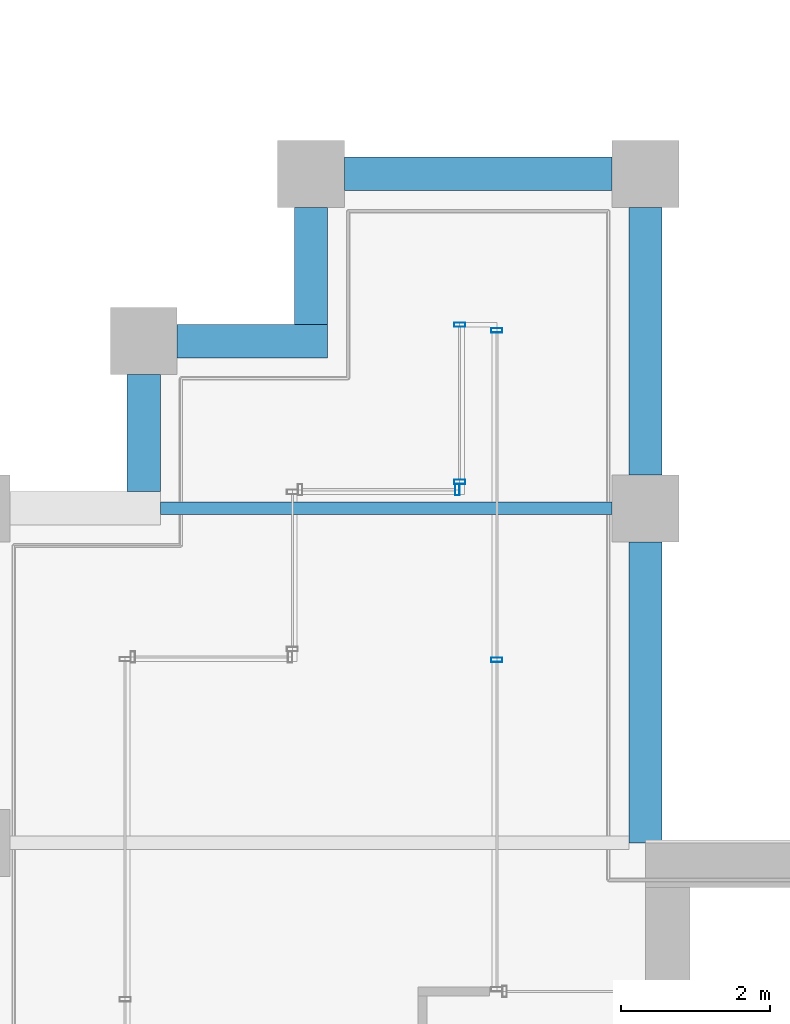
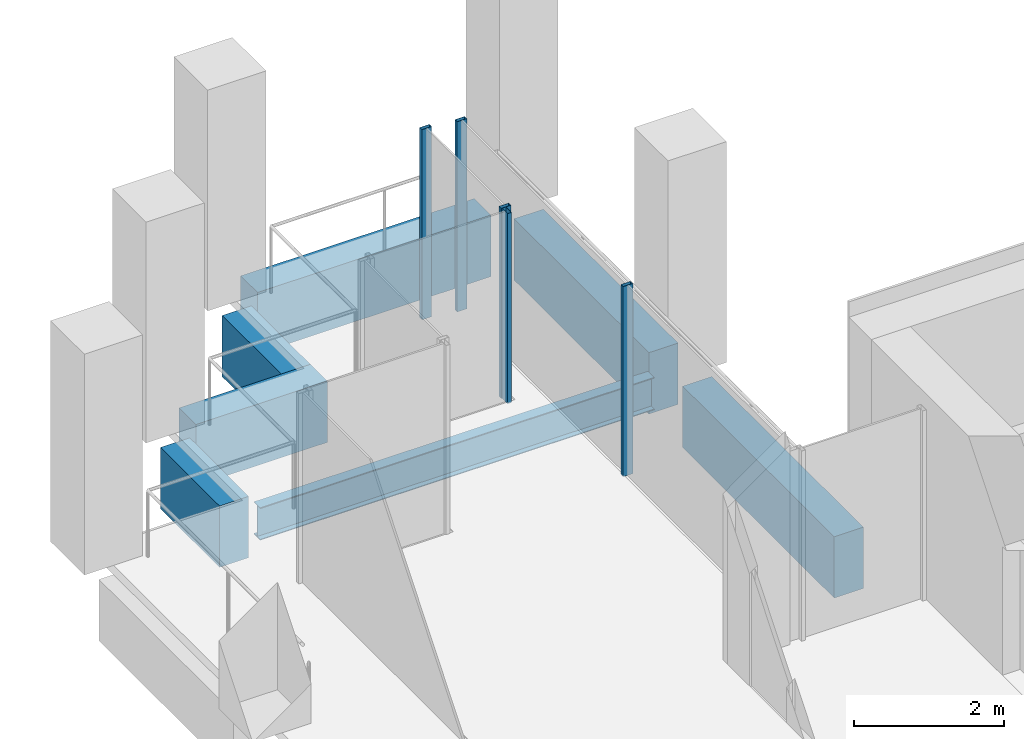
# One storey, part 33 of 40: 7 beams, 5 members, 3 elements without a shape of their own.
"""IFC4 building model written with IfcOpenShell, lengths in metres."""

from ifc_helpers import new_model, si_unit, direction, frame, origin, origin_2d, place, context, subcontext, project, spatial, rectangle, hollow_rectangle, i_section, extrude, material, material_profile, profile_set, type_object, element, aggregate, save


model = new_model("IFC4")

# Units and contexts
model_context = context("Model", 3, precision=1e-05, world=origin(), true_north=direction((0.0, 1.0)))
body_context = subcontext(model_context, "Body", "Model", "MODEL_VIEW")
ifc_project = project(units=[si_unit("LENGTHUNIT", "METRE"), si_unit("AREAUNIT", "SQUARE_METRE"), si_unit("VOLUMEUNIT", "CUBIC_METRE"), si_unit("PLANEANGLEUNIT", "RADIAN"), si_unit("MASSUNIT", "GRAM", prefix="KILO")], contexts=[model_context])

# Site, building, storey
site_placement = place(None, origin())
site = spatial("IfcSite", under=ifc_project, at=site_placement, CompositionType="ELEMENT")
building_placement = place(site_placement, origin())
building = spatial("IfcBuilding", under=site, at=building_placement, Name="Altepetl Exchange Towers", CompositionType="ELEMENT")
storey_placement = place(building_placement, frame((0.0, 0.0, 165.39990234375)))
storey = spatial("IfcBuildingStorey", under=building, at=storey_placement, Name="L41", CompositionType="ELEMENT", Elevation=165.39990234375)

# Beam
ifc_material_1 = material(Name="Steel S355", Category="steel")
ifc_material_profile_1 = material_profile(ifc_material_1, i_section(OverallWidth=0.166015625, OverallDepth=0.529052734375, WebThickness=0.009765625, FlangeThickness=0.013671875, at=origin_2d()), Name="W21X50")
ifc_profile_set_1 = profile_set([ifc_material_profile_1], Name="Steel S355")
beam_type_1 = type_object("IfcBeamType", Name="Floor beam W21X50", PredefinedType="BEAM", material=ifc_profile_set_1)
beam_1_placement = place(storey_placement, frame((96.97509765625, 54.0, -0.414306640625), z_axis=(1.0, 0.0, 0.0), x_axis=(0.0, 1.0, 0.0)))
element("IfcBeam", 1, at=beam_1_placement, inside=storey, type_object=beam_type_1, Name="bm:B:L41:007", PredefinedType="BEAM", context=body_context, shape_type="SweptSolid", body=[
    extrude(i_section(OverallWidth=0.166015625, OverallDepth=0.529052734375, WebThickness=0.009765625, FlangeThickness=0.013671875, at=origin_2d()), origin(), (0.0, 0.0, 1.0), 6.074951171875),
])

# Curtain wall, members
ifc_material_2 = material(Name="Aluminium 6063-T6 glazing", Category="aluminium")
curtain_wall_type = type_object("IfcCurtainWallType", Name="Loggia glazing system", PredefinedType="NOTDEFINED", material=ifc_material_2)
curtain_wall_1_placement = place(storey_placement, origin())
curtain_wall_1 = element("IfcCurtainWall", 2, at=curtain_wall_1_placement, inside=storey, type_object=curtain_wall_type, Name="CW1 run", PredefinedType="NOTDEFINED")
ifc_material_3 = material(Name="Aluminium 6063-T6", Category="aluminium")
ifc_material_profile_2 = material_profile(ifc_material_3, hollow_rectangle(XDim=0.06005859375, YDim=0.14990234375, WallThickness=0.0029296875, at=origin_2d()), Name="Mullion 60x150 aluminium")
ifc_profile_set_2 = profile_set([ifc_material_profile_2], Name="Aluminium 6063-T6")
member_type = type_object("IfcMemberType", Name="Mullion 60x150 aluminium", PredefinedType="MULLION", material=ifc_profile_set_2)
member_1_placement = place(storey_placement, frame((101.5, 51.96240234375, 0.0), z_axis=(0.0, 0.0, 1.0), x_axis=(0.0, 1.0, 0.0)))
member_1 = element("IfcMember", 3, at=member_1_placement, type_object=member_type, Name="MU1 mullion", PredefinedType="MULLION", context=body_context, shape_type="SweptSolid", body=[
    extrude(hollow_rectangle(XDim=0.06005859375, YDim=0.14990234375, WallThickness=0.0029296875, at=origin_2d()), origin(), (0.0, 0.0, 1.0), 3.10009765625),
])
member_2_placement = place(storey_placement, frame((101.5, 56.39501953125, 0.0), z_axis=(0.0, 0.0, 1.0), x_axis=(0.0, 1.0, 0.0)))
member_2 = element("IfcMember", 4, at=member_2_placement, type_object=member_type, Name="MU1 mullion", PredefinedType="MULLION", context=body_context, shape_type="SweptSolid", body=[
    extrude(hollow_rectangle(XDim=0.06005859375, YDim=0.14990234375, WallThickness=0.0029296875, at=origin_2d()), origin(), (0.0, 0.0, 1.0), 3.10009765625),
])
aggregate(curtain_wall_1, [member_1, member_2])

curtain_wall_2_placement = place(storey_placement, origin())
curtain_wall_2 = element("IfcCurtainWall", 5, at=curtain_wall_2_placement, inside=storey, type_object=curtain_wall_type, Name="CW1 run", PredefinedType="NOTDEFINED")
member_3_placement = place(storey_placement, frame((101.0, 56.469970703125, 0.0), z_axis=(0.0, 0.0, 1.0), x_axis=(0.0, -1.0, 0.0)))
member_3 = element("IfcMember", 6, at=member_3_placement, type_object=member_type, Name="MU1 mullion", PredefinedType="MULLION", context=body_context, shape_type="SweptSolid", body=[
    extrude(hollow_rectangle(XDim=0.06005859375, YDim=0.14990234375, WallThickness=0.0029296875, at=origin_2d()), origin(), (0.0, 0.0, 1.0), 3.10009765625),
])
member_4_placement = place(storey_placement, frame((101.0, 54.35498046875, 0.0), z_axis=(0.0, 0.0, 1.0), x_axis=(0.0, -1.0, 0.0)))
member_4 = element("IfcMember", 7, at=member_4_placement, type_object=member_type, Name="MU1 mullion", PredefinedType="MULLION", context=body_context, shape_type="SweptSolid", body=[
    extrude(hollow_rectangle(XDim=0.06005859375, YDim=0.14990234375, WallThickness=0.0029296875, at=origin_2d()), origin(), (0.0, 0.0, 1.0), 3.10009765625),
])
aggregate(curtain_wall_2, [member_3, member_4])

# Curtain wall, member
curtain_wall_3_placement = place(storey_placement, origin())
curtain_wall_3 = element("IfcCurtainWall", 8, at=curtain_wall_3_placement, inside=storey, type_object=curtain_wall_type, Name="CW1 run", PredefinedType="NOTDEFINED")
member_5_placement = place(storey_placement, frame((100.969970703125, 54.25, 0.0), z_axis=(0.0, 0.0, 1.0), x_axis=(-1.0, 0.0, 0.0)))
member_5 = element("IfcMember", 9, at=member_5_placement, type_object=member_type, Name="MU1 mullion", PredefinedType="MULLION", context=body_context, shape_type="SweptSolid", body=[
    extrude(hollow_rectangle(XDim=0.06005859375, YDim=0.14990234375, WallThickness=0.0029296875, at=origin_2d()), origin(), (0.0, 0.0, 1.0), 3.10009765625),
])
aggregate(curtain_wall_3, [member_5])

# Beams
ifc_material_4 = material(Name="Concrete C50/60 precast with cantera rosa facing", Category="concrete")
ifc_material_profile_3 = material_profile(ifc_material_4, rectangle(XDim=0.449951171875, YDim=1.0, at=origin_2d()), Name="450 x 1000")
ifc_profile_set_3 = profile_set([ifc_material_profile_3], Name="Concrete C50/60 precast with cantera rosa facing")
beam_type_2 = type_object("IfcBeamType", Name="Spandrel beam 450x1000 cantera rosa", PredefinedType="SPANDREL", material=ifc_profile_set_3)
beam_2_placement = place(storey_placement, frame((103.5, 49.5, -0.64990234375), z_axis=(0.0, 1.0, 0.0), x_axis=(-1.0, 0.0, 0.0)))
element("IfcBeam", 10, at=beam_2_placement, inside=storey, type_object=beam_type_2, Name="sp:B:L41:008", PredefinedType="SPANDREL", context=body_context, shape_type="SweptSolid", body=[
    extrude(rectangle(XDim=0.449951171875, YDim=1.0, at=origin_2d()), origin(), (0.0, 0.0, 1.0), 4.050048828125),
])
for number, where, z_axis, x_axis, name in (
    (11, (103.5, 54.449951171875, -0.64990234375), (0.0, 1.0, 0.0), (-1.0, 0.0, 0.0), "sp:B:L41:009"),
    (12, (103.050048828125, 58.5, -0.64990234375), (-1.0, 0.0, 0.0), (0.0, -1.0, 0.0), "sp:B:L41:010"),
):
    element("IfcBeam", number, at=place(storey_placement, frame(where, z_axis=z_axis, x_axis=x_axis)), inside=storey, type_object=beam_type_2, Name=name, PredefinedType="SPANDREL", context=body_context, shape_type="SweptSolid", body=[
        extrude(rectangle(XDim=0.449951171875, YDim=1.0, at=origin_2d()), origin(), (0.0, 0.0, 1.0), 3.60009765625),
    ])
beam_3_placement = place(storey_placement, frame((99.0, 58.050048828125, -0.64990234375), z_axis=(0.0, -1.0, 0.0), x_axis=(1.0, 0.0, 0.0)))
element("IfcBeam", 13, at=beam_3_placement, inside=storey, type_object=beam_type_2, Name="sp:B:L41:011", PredefinedType="SPANDREL", context=body_context, shape_type="SweptSolid", body=[
    extrude(rectangle(XDim=0.449951171875, YDim=1.0, at=origin_2d()), origin(), (0.0, 0.0, 1.0), 1.574951171875),
])
beam_4_placement = place(storey_placement, frame((99.22509765625, 56.25, -0.64990234375), z_axis=(-1.0, 0.0, 0.0), x_axis=(0.0, -1.0, 0.0)))
element("IfcBeam", 14, at=beam_4_placement, inside=storey, type_object=beam_type_2, Name="sp:B:L41:012", PredefinedType="SPANDREL", context=body_context, shape_type="SweptSolid", body=[
    extrude(rectangle(XDim=0.449951171875, YDim=1.0, at=origin_2d()), origin(), (0.0, 0.0, 1.0), 2.025146484375),
])
beam_5_placement = place(storey_placement, frame((96.75, 55.800048828125, -0.64990234375), z_axis=(0.0, -1.0, 0.0), x_axis=(1.0, 0.0, 0.0)))
element("IfcBeam", 15, at=beam_5_placement, inside=storey, type_object=beam_type_2, Name="sp:B:L41:013", PredefinedType="SPANDREL", context=body_context, shape_type="SweptSolid", body=[
    extrude(rectangle(XDim=0.449951171875, YDim=1.0, at=origin_2d()), origin(), (0.0, 0.0, 1.0), 1.574951171875),
])

save(model, "model.ifc")
